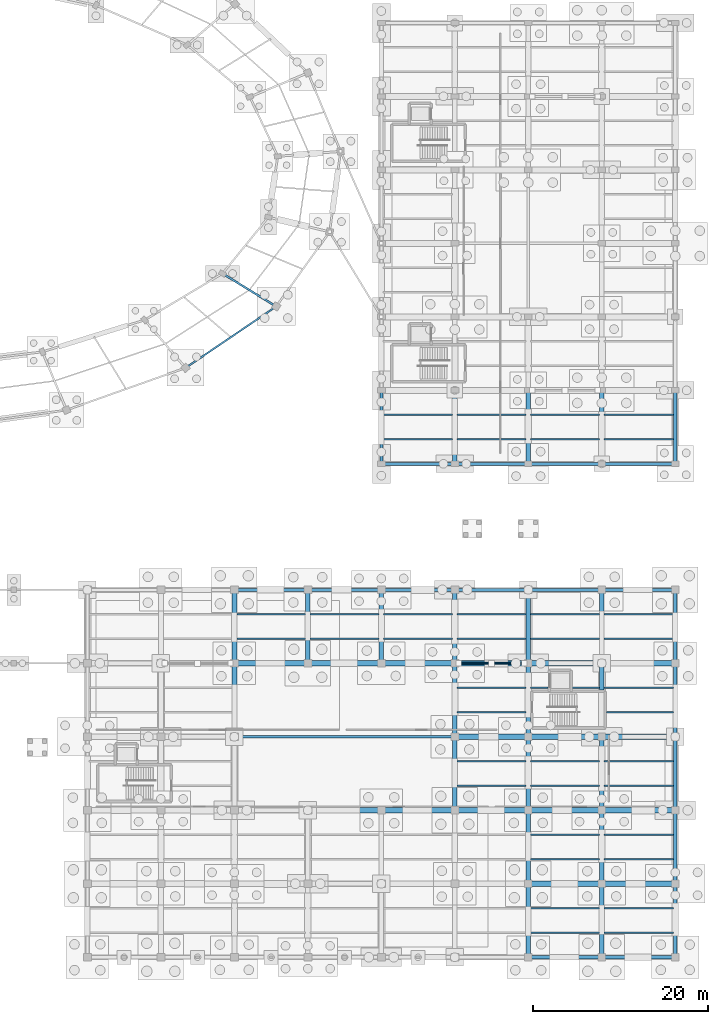
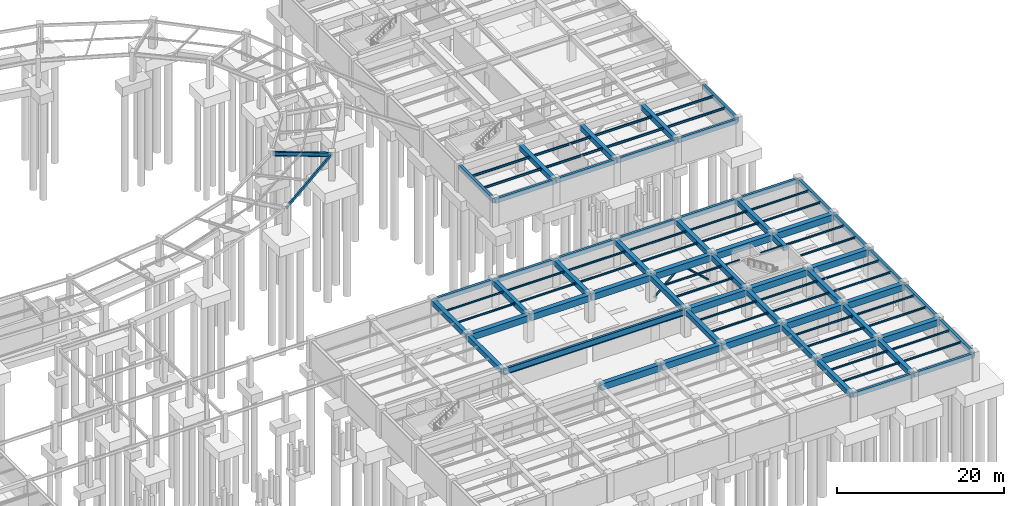
# One storey, part 19 of 38: 98 beams, 2 members.
"""IFC4 building model written with IfcOpenShell, lengths in metres."""

from ifc_helpers import new_model, si_unit, direction, frame, origin, origin_2d, place, context, subcontext, project, spatial, rectangle, hollow_rectangle, hollow_circle, i_section, extrude, material, material_profile, profile_set, type_object, element, save


model = new_model("IFC4")

# Units and contexts
model_context = context("Model", 3, precision=1e-05, world=origin(), true_north=direction((0.0, 1.0)))
body_context = subcontext(model_context, "Body", "Model", "MODEL_VIEW")
ifc_project = project(units=[si_unit("LENGTHUNIT", "METRE"), si_unit("AREAUNIT", "SQUARE_METRE"), si_unit("VOLUMEUNIT", "CUBIC_METRE"), si_unit("PLANEANGLEUNIT", "RADIAN"), si_unit("MASSUNIT", "GRAM", prefix="KILO"), si_unit("THERMODYNAMICTEMPERATUREUNIT", "KELVIN"), si_unit("POWERUNIT", "WATT")], contexts=[model_context])

# Site, building, storey
site_placement = place(None, origin())
site = spatial("IfcSite", under=ifc_project, at=site_placement, CompositionType="ELEMENT")
building_placement = place(site_placement, origin())
building = spatial("IfcBuilding", under=site, at=building_placement, Name="Darbajah Civic Hall", CompositionType="ELEMENT")
storey_placement = place(building_placement, frame((0.0, 0.0, -4.199951171875)))
storey = spatial("IfcBuildingStorey", under=building, at=storey_placement, Name="B01", CompositionType="ELEMENT", Elevation=-4.199951171875)

# Members
ifc_material_1 = material(Name="Steel S355JR", Category="steel")
ifc_material_profile_1 = material_profile(ifc_material_1, hollow_circle(Radius=0.136474609375, WallThickness=0.010009765625, at=origin_2d()), Name="CHS 273.0x10.0")
ifc_profile_set_1 = profile_set([ifc_material_profile_1], Name="Steel S355JR")
member_type = type_object("IfcMemberType", Name="CHS 273.0x10.0", PredefinedType="BRACE", material=ifc_profile_set_1)
member_1_placement = place(storey_placement, frame((153.449951171875, 33.60009765625, 0.199951171875), z_axis=(0.742277082557, 0.0, 0.670093077648), x_axis=(0.0, 1.0, 0.0)))
element("IfcMember", 1, at=member_1_placement, inside=storey, type_object=member_type, Name="B01 lateral chevron brace BR-B01-2-L", PredefinedType="BRACE", context=body_context, shape_type="SweptSolid", body=[
    extrude(hollow_circle(Radius=0.136474609375, WallThickness=0.010009765625, at=origin_2d()), origin(), (0.0, 0.0, 1.0), 4.85009765625),
])
member_2_placement = place(storey_placement, frame((160.949951171875, 33.60009765625, 0.199951171875), z_axis=(-0.742254478498, 0.0, 0.67011811582), x_axis=(0.0, -1.0, 0.0)))
element("IfcMember", 2, at=member_2_placement, inside=storey, type_object=member_type, Name="B01 lateral chevron brace BR-B01-2-R", PredefinedType="BRACE", context=body_context, shape_type="SweptSolid", body=[
    extrude(hollow_circle(Radius=0.136474609375, WallThickness=0.010009765625, at=origin_2d()), origin(), (0.0, 0.0, 1.0), 4.849853515625),
])

# Beams
ifc_material_2 = material(Name="Concrete C45/55", Category="concrete")
ifc_material_profile_2 = material_profile(ifc_material_2, rectangle(XDim=0.550048828125, YDim=0.75, at=origin_2d()), Name="RC BEAM 550x750")
ifc_profile_set_2 = profile_set([ifc_material_profile_2], Name="Concrete C45/55")
beam_type_1 = type_object("IfcBeamType", Name="RC BEAM 550x750", PredefinedType="BEAM", material=ifc_profile_set_2)
for number, where, z_axis, x_axis, name in (
    (3, (127.800048828125, 25.280029296875, 3.52490234375), (0.0, 1.0, 0.0), (-1.0, 0.0, 0.0), "B01 beam BM-5575"),
    (4, (127.800048828125, 33.679931640625, 3.52490234375), (0.0, 1.0, 0.0), (-1.0, 0.0, 0.0), "B01 beam BM-5575"),
    (5, (136.199951171875, 33.679931640625, 3.52490234375), (0.0, 1.0, 0.0), (-1.0, 0.0, 0.0), "B01 beam BM-5575"),
    (6, (144.60009765625, 33.679931640625, 3.52490234375), (0.0, 1.0, 0.0), (-1.0, 0.0, 0.0), "B01 beam BM-5575"),
):
    element("IfcBeam", number, at=place(storey_placement, frame(where, z_axis=z_axis, x_axis=x_axis)), inside=storey, type_object=beam_type_1, Name=name, PredefinedType="BEAM", context=body_context, shape_type="SweptSolid", body=[
        extrude(rectangle(XDim=0.550048828125, YDim=0.75, at=origin_2d()), origin(), (0.0, 0.0, 1.0), 8.239990234375),
    ])
beam_1_placement = place(storey_placement, frame((153.0, 16.8798828125, 3.52490234375), z_axis=(0.0, 1.0, 0.0), x_axis=(-1.0, 0.0, 0.0)))
element("IfcBeam", 7, at=beam_1_placement, inside=storey, type_object=beam_type_1, Name="B01 beam BM-5575", PredefinedType="BEAM", context=body_context, shape_type="SweptSolid", body=[
    extrude(rectangle(XDim=0.550048828125, YDim=0.75, at=origin_2d()), origin(), (0.0, 0.0, 1.0), 8.240234375),
])
for number, where, z_axis, x_axis, name in (
    (8, (153.0, 25.280029296875, 3.52490234375), (0.0, 1.0, 0.0), (-1.0, 0.0, 0.0), "B01 beam BM-5575"),
    (9, (153.0, 33.679931640625, 3.52490234375), (0.0, 1.0, 0.0), (-1.0, 0.0, 0.0), "B01 beam BM-5575"),
    (10, (161.39990234375, 0.080078125, 3.52490234375), (0.0, 1.0, 0.0), (-1.0, 0.0, 0.0), "B01 beam BM-5575"),
    (11, (161.39990234375, 8.47998046875, 3.52490234375), (0.0, 1.0, 0.0), (-1.0, 0.0, 0.0), "B01 beam BM-5575"),
):
    element("IfcBeam", number, at=place(storey_placement, frame(where, z_axis=z_axis, x_axis=x_axis)), inside=storey, type_object=beam_type_1, Name=name, PredefinedType="BEAM", context=body_context, shape_type="SweptSolid", body=[
        extrude(rectangle(XDim=0.550048828125, YDim=0.75, at=origin_2d()), origin(), (0.0, 0.0, 1.0), 8.239990234375),
    ])
beam_2_placement = place(storey_placement, frame((161.39990234375, 16.8798828125, 3.52490234375), z_axis=(0.0, 1.0, 0.0), x_axis=(-1.0, 0.0, 0.0)))
element("IfcBeam", 12, at=beam_2_placement, inside=storey, type_object=beam_type_1, Name="B01 beam BM-5575", PredefinedType="BEAM", context=body_context, shape_type="SweptSolid", body=[
    extrude(rectangle(XDim=0.550048828125, YDim=0.75, at=origin_2d()), origin(), (0.0, 0.0, 1.0), 8.240234375),
])
for number, where, z_axis, x_axis, name in (
    (13, (161.39990234375, 25.280029296875, 3.52490234375), (0.0, 1.0, 0.0), (-1.0, 0.0, 0.0), "B01 beam BM-5575"),
    (14, (161.39990234375, 33.679931640625, 3.52490234375), (0.0, 1.0, 0.0), (-1.0, 0.0, 0.0), "B01 beam BM-5575"),
    (15, (169.800048828125, 0.080078125, 3.52490234375), (0.0, 1.0, 0.0), (-1.0, 0.0, 0.0), "B01 beam BM-5575"),
    (16, (169.800048828125, 8.47998046875, 3.52490234375), (0.0, 1.0, 0.0), (-1.0, 0.0, 0.0), "B01 beam BM-5575"),
):
    element("IfcBeam", number, at=place(storey_placement, frame(where, z_axis=z_axis, x_axis=x_axis)), inside=storey, type_object=beam_type_1, Name=name, PredefinedType="BEAM", context=body_context, shape_type="SweptSolid", body=[
        extrude(rectangle(XDim=0.550048828125, YDim=0.75, at=origin_2d()), origin(), (0.0, 0.0, 1.0), 8.239990234375),
    ])
beam_3_placement = place(storey_placement, frame((169.800048828125, 16.8798828125, 3.52490234375), z_axis=(0.0, 1.0, 0.0), x_axis=(-1.0, 0.0, 0.0)))
element("IfcBeam", 17, at=beam_3_placement, inside=storey, type_object=beam_type_1, Name="B01 beam BM-5575", PredefinedType="BEAM", context=body_context, shape_type="SweptSolid", body=[
    extrude(rectangle(XDim=0.550048828125, YDim=0.75, at=origin_2d()), origin(), (0.0, 0.0, 1.0), 8.240234375),
])
beam_4_placement = place(storey_placement, frame((169.800048828125, 30.5400390625, 3.52490234375), z_axis=(0.0, 1.0, 0.0), x_axis=(-1.0, 0.0, 0.0)))
element("IfcBeam", 18, at=beam_4_placement, inside=storey, type_object=beam_type_1, Name="B01 beam BM-5575", PredefinedType="BEAM", context=body_context, shape_type="SweptSolid", body=[
    extrude(rectangle(XDim=0.550048828125, YDim=0.75, at=origin_2d()), origin(), (0.0, 0.0, 1.0), 2.97998046875),
])
for number, where, z_axis, x_axis, name in (
    (19, (169.800048828125, 33.679931640625, 3.52490234375), (0.0, 1.0, 0.0), (-1.0, 0.0, 0.0), "B01 beam BM-5575"),
    (20, (153.0, 56.47998046875, 3.48486328125), (0.0, 1.0, 0.0), (-1.0, 0.0, 0.0), "B01 beam BM-5575"),
    (21, (161.39990234375, 56.47998046875, 3.48486328125), (0.0, 1.0, 0.0), (-1.0, 0.0, 0.0), "B01 beam BM-5575"),
    (22, (169.800048828125, 56.47998046875, 3.48486328125), (0.0, 1.0, 0.0), (-1.0, 0.0, 0.0), "B01 beam BM-5575"),
):
    element("IfcBeam", number, at=place(storey_placement, frame(where, z_axis=z_axis, x_axis=x_axis)), inside=storey, type_object=beam_type_1, Name=name, PredefinedType="BEAM", context=body_context, shape_type="SweptSolid", body=[
        extrude(rectangle(XDim=0.550048828125, YDim=0.75, at=origin_2d()), origin(), (0.0, 0.0, 1.0), 8.239990234375),
    ])
ifc_material_3 = material(Name="Concrete C50/60", Category="concrete")
ifc_material_profile_3 = material_profile(ifc_material_3, rectangle(XDim=0.64990234375, YDim=0.949951171875, at=origin_2d()), Name="RC GIRDER 650x950")
ifc_profile_set_3 = profile_set([ifc_material_profile_3], Name="Concrete C50/60")
beam_type_2 = type_object("IfcBeamType", Name="RC GIRDER 650x950", PredefinedType="BEAM", material=ifc_profile_set_3)
beam_5_placement = place(storey_placement, frame((161.47998046875, 8.39990234375, 3.425048828125), z_axis=(1.0, 0.0, 0.0), x_axis=(0.0, 1.0, 0.0)))
element("IfcBeam", 23, at=beam_5_placement, inside=storey, type_object=beam_type_2, Name="B01 beam BG-6595", PredefinedType="BEAM", context=body_context, shape_type="SweptSolid", body=[
    extrude(rectangle(XDim=0.64990234375, YDim=0.949951171875, at=origin_2d()), origin(), (0.0, 0.0, 1.0), 8.239990234375),
])
beam_6_placement = place(storey_placement, frame((169.8798828125, 8.39990234375, 3.425048828125), z_axis=(1.0, 0.0, 0.0), x_axis=(0.0, 1.0, 0.0)))
element("IfcBeam", 24, at=beam_6_placement, inside=storey, type_object=beam_type_2, Name="B01 beam BG-6595", PredefinedType="BEAM", context=body_context, shape_type="SweptSolid", body=[
    extrude(rectangle(XDim=0.64990234375, YDim=0.949951171875, at=origin_2d()), origin(), (0.0, 0.0, 1.0), 8.240234375),
])
for number, where, z_axis, x_axis, name in (
    (25, (136.280029296875, 16.800048828125, 3.425048828125), (1.0, 0.0, 0.0), (0.0, 1.0, 0.0), "B01 beam BG-6595"),
    (26, (144.679931640625, 16.800048828125, 3.425048828125), (1.0, 0.0, 0.0), (0.0, 1.0, 0.0), "B01 beam BG-6595"),
    (27, (153.080078125, 16.800048828125, 3.425048828125), (1.0, 0.0, 0.0), (0.0, 1.0, 0.0), "B01 beam BG-6595"),
    (28, (161.47998046875, 16.800048828125, 3.425048828125), (1.0, 0.0, 0.0), (0.0, 1.0, 0.0), "B01 beam BG-6595"),
):
    element("IfcBeam", number, at=place(storey_placement, frame(where, z_axis=z_axis, x_axis=x_axis)), inside=storey, type_object=beam_type_2, Name=name, PredefinedType="BEAM", context=body_context, shape_type="SweptSolid", body=[
        extrude(rectangle(XDim=0.64990234375, YDim=0.949951171875, at=origin_2d()), origin(), (0.0, 0.0, 1.0), 8.239990234375),
    ])
beam_7_placement = place(storey_placement, frame((169.8798828125, 16.800048828125, 3.425048828125), z_axis=(1.0, 0.0, 0.0), x_axis=(0.0, 1.0, 0.0)))
element("IfcBeam", 29, at=beam_7_placement, inside=storey, type_object=beam_type_2, Name="B01 beam BG-6595", PredefinedType="BEAM", context=body_context, shape_type="SweptSolid", body=[
    extrude(rectangle(XDim=0.64990234375, YDim=0.949951171875, at=origin_2d()), origin(), (0.0, 0.0, 1.0), 8.240234375),
])
for number, where, z_axis, x_axis, name in (
    (30, (153.080078125, 25.199951171875, 3.425048828125), (1.0, 0.0, 0.0), (0.0, 1.0, 0.0), "B01 beam BG-6595"),
    (31, (161.47998046875, 25.199951171875, 3.425048828125), (1.0, 0.0, 0.0), (0.0, 1.0, 0.0), "B01 beam BG-6595"),
):
    element("IfcBeam", number, at=place(storey_placement, frame(where, z_axis=z_axis, x_axis=x_axis)), inside=storey, type_object=beam_type_2, Name=name, PredefinedType="BEAM", context=body_context, shape_type="SweptSolid", body=[
        extrude(rectangle(XDim=0.64990234375, YDim=0.949951171875, at=origin_2d()), origin(), (0.0, 0.0, 1.0), 8.239990234375),
    ])
for number, where, z_axis, x_axis, name in (
    (32, (169.8798828125, 25.199951171875, 3.425048828125), (1.0, 0.0, 0.0), (0.0, 1.0, 0.0), "B01 beam BG-6595"),
    (33, (127.8798828125, 33.60009765625, 3.425048828125), (1.0, 0.0, 0.0), (0.0, 1.0, 0.0), "B01 beam BG-6595"),
):
    element("IfcBeam", number, at=place(storey_placement, frame(where, z_axis=z_axis, x_axis=x_axis)), inside=storey, type_object=beam_type_2, Name=name, PredefinedType="BEAM", context=body_context, shape_type="SweptSolid", body=[
        extrude(rectangle(XDim=0.64990234375, YDim=0.949951171875, at=origin_2d()), origin(), (0.0, 0.0, 1.0), 8.240234375),
    ])
for number, where, z_axis, x_axis, name in (
    (34, (136.280029296875, 33.60009765625, 3.425048828125), (1.0, 0.0, 0.0), (0.0, 1.0, 0.0), "B01 beam BG-6595"),
    (35, (144.679931640625, 33.60009765625, 3.425048828125), (1.0, 0.0, 0.0), (0.0, 1.0, 0.0), "B01 beam BG-6595"),
    (36, (153.080078125, 33.60009765625, 3.425048828125), (1.0, 0.0, 0.0), (0.0, 1.0, 0.0), "B01 beam BG-6595"),
    (37, (161.47998046875, 33.60009765625, 3.425048828125), (1.0, 0.0, 0.0), (0.0, 1.0, 0.0), "B01 beam BG-6595"),
):
    element("IfcBeam", number, at=place(storey_placement, frame(where, z_axis=z_axis, x_axis=x_axis)), inside=storey, type_object=beam_type_2, Name=name, PredefinedType="BEAM", context=body_context, shape_type="SweptSolid", body=[
        extrude(rectangle(XDim=0.64990234375, YDim=0.949951171875, at=origin_2d()), origin(), (0.0, 0.0, 1.0), 8.239990234375),
    ])
beam_8_placement = place(storey_placement, frame((169.8798828125, 33.60009765625, 3.425048828125), z_axis=(1.0, 0.0, 0.0), x_axis=(0.0, 1.0, 0.0)))
element("IfcBeam", 38, at=beam_8_placement, inside=storey, type_object=beam_type_2, Name="B01 beam BG-6595", PredefinedType="BEAM", context=body_context, shape_type="SweptSolid", body=[
    extrude(rectangle(XDim=0.64990234375, YDim=0.949951171875, at=origin_2d()), origin(), (0.0, 0.0, 1.0), 8.240234375),
])
ifc_material_profile_4 = material_profile(ifc_material_2, rectangle(XDim=0.35009765625, YDim=0.64990234375, at=origin_2d()), Name="RC SPANDREL 350x650")
ifc_profile_set_4 = profile_set([ifc_material_profile_4], Name="Concrete C45/55")
beam_type_3 = type_object("IfcBeamType", Name="RC SPANDREL 350x650", PredefinedType="SPANDREL", material=ifc_profile_set_4)
beam_9_placement = place(storey_placement, frame((161.47998046875, 0.0, 3.574951171875), z_axis=(1.0, 0.0, 0.0), x_axis=(0.0, 1.0, 0.0)))
element("IfcBeam", 39, at=beam_9_placement, inside=storey, type_object=beam_type_3, Name="B01 beam SP-3565", PredefinedType="SPANDREL", context=body_context, shape_type="SweptSolid", body=[
    extrude(rectangle(XDim=0.35009765625, YDim=0.64990234375, at=origin_2d()), origin(), (0.0, 0.0, 1.0), 8.239990234375),
])
for number, where, z_axis, x_axis, name in (
    (40, (169.8798828125, 0.0, 3.574951171875), (1.0, 0.0, 0.0), (0.0, 1.0, 0.0), "B01 beam SP-3565"),
    (41, (127.8798828125, 42.0, 3.574951171875), (1.0, 0.0, 0.0), (0.0, 1.0, 0.0), "B01 beam SP-3565"),
):
    element("IfcBeam", number, at=place(storey_placement, frame(where, z_axis=z_axis, x_axis=x_axis)), inside=storey, type_object=beam_type_3, Name=name, PredefinedType="SPANDREL", context=body_context, shape_type="SweptSolid", body=[
        extrude(rectangle(XDim=0.35009765625, YDim=0.64990234375, at=origin_2d()), origin(), (0.0, 0.0, 1.0), 8.240234375),
    ])
for number, where, z_axis, x_axis, name in (
    (42, (136.280029296875, 42.0, 3.574951171875), (1.0, 0.0, 0.0), (0.0, 1.0, 0.0), "B01 beam SP-3565"),
    (43, (144.679931640625, 42.0, 3.574951171875), (1.0, 0.0, 0.0), (0.0, 1.0, 0.0), "B01 beam SP-3565"),
    (44, (153.080078125, 42.0, 3.574951171875), (1.0, 0.0, 0.0), (0.0, 1.0, 0.0), "B01 beam SP-3565"),
    (45, (161.47998046875, 42.0, 3.574951171875), (1.0, 0.0, 0.0), (0.0, 1.0, 0.0), "B01 beam SP-3565"),
):
    element("IfcBeam", number, at=place(storey_placement, frame(where, z_axis=z_axis, x_axis=x_axis)), inside=storey, type_object=beam_type_3, Name=name, PredefinedType="SPANDREL", context=body_context, shape_type="SweptSolid", body=[
        extrude(rectangle(XDim=0.35009765625, YDim=0.64990234375, at=origin_2d()), origin(), (0.0, 0.0, 1.0), 8.239990234375),
    ])
beam_10_placement = place(storey_placement, frame((169.8798828125, 42.0, 3.574951171875), z_axis=(1.0, 0.0, 0.0), x_axis=(0.0, 1.0, 0.0)))
element("IfcBeam", 46, at=beam_10_placement, inside=storey, type_object=beam_type_3, Name="B01 beam SP-3565", PredefinedType="SPANDREL", context=body_context, shape_type="SweptSolid", body=[
    extrude(rectangle(XDim=0.35009765625, YDim=0.64990234375, at=origin_2d()), origin(), (0.0, 0.0, 1.0), 8.240234375),
])
for number, where, z_axis, x_axis, name in (
    (47, (178.199951171875, 0.080078125, 3.574951171875), (0.0, 1.0, 0.0), (-1.0, 0.0, 0.0), "B01 beam SP-3565"),
    (48, (178.199951171875, 8.47998046875, 3.574951171875), (0.0, 1.0, 0.0), (-1.0, 0.0, 0.0), "B01 beam SP-3565"),
):
    element("IfcBeam", number, at=place(storey_placement, frame(where, z_axis=z_axis, x_axis=x_axis)), inside=storey, type_object=beam_type_3, Name=name, PredefinedType="SPANDREL", context=body_context, shape_type="SweptSolid", body=[
        extrude(rectangle(XDim=0.35009765625, YDim=0.64990234375, at=origin_2d()), origin(), (0.0, 0.0, 1.0), 8.239990234375),
    ])
beam_11_placement = place(storey_placement, frame((178.199951171875, 16.8798828125, 3.574951171875), z_axis=(0.0, 1.0, 0.0), x_axis=(-1.0, 0.0, 0.0)))
element("IfcBeam", 49, at=beam_11_placement, inside=storey, type_object=beam_type_3, Name="B01 beam SP-3565", PredefinedType="SPANDREL", context=body_context, shape_type="SweptSolid", body=[
    extrude(rectangle(XDim=0.35009765625, YDim=0.64990234375, at=origin_2d()), origin(), (0.0, 0.0, 1.0), 8.240234375),
])
for number, where, z_axis, x_axis, name in (
    (50, (178.199951171875, 25.280029296875, 3.574951171875), (0.0, 1.0, 0.0), (-1.0, 0.0, 0.0), "B01 beam SP-3565"),
    (51, (178.199951171875, 33.679931640625, 3.574951171875), (0.0, 1.0, 0.0), (-1.0, 0.0, 0.0), "B01 beam SP-3565"),
    (52, (144.679931640625, 56.39990234375, 3.534912109375), (1.0, 0.0, 0.0), (0.0, 1.0, 0.0), "B01 beam SP-3565"),
    (53, (153.080078125, 56.39990234375, 3.534912109375), (1.0, 0.0, 0.0), (0.0, 1.0, 0.0), "B01 beam SP-3565"),
    (54, (161.47998046875, 56.39990234375, 3.534912109375), (1.0, 0.0, 0.0), (0.0, 1.0, 0.0), "B01 beam SP-3565"),
):
    element("IfcBeam", number, at=place(storey_placement, frame(where, z_axis=z_axis, x_axis=x_axis)), inside=storey, type_object=beam_type_3, Name=name, PredefinedType="SPANDREL", context=body_context, shape_type="SweptSolid", body=[
        extrude(rectangle(XDim=0.35009765625, YDim=0.64990234375, at=origin_2d()), origin(), (0.0, 0.0, 1.0), 8.239990234375),
    ])
beam_12_placement = place(storey_placement, frame((169.8798828125, 56.39990234375, 3.534912109375), z_axis=(1.0, 0.0, 0.0), x_axis=(0.0, 1.0, 0.0)))
element("IfcBeam", 55, at=beam_12_placement, inside=storey, type_object=beam_type_3, Name="B01 beam SP-3565", PredefinedType="SPANDREL", context=body_context, shape_type="SweptSolid", body=[
    extrude(rectangle(XDim=0.35009765625, YDim=0.64990234375, at=origin_2d()), origin(), (0.0, 0.0, 1.0), 8.240234375),
])
for number, where, z_axis, x_axis, name in (
    (56, (144.60009765625, 56.47998046875, 3.534912109375), (0.0, 1.0, 0.0), (-1.0, 0.0, 0.0), "B01 beam SP-3565"),
    (57, (178.199951171875, 56.47998046875, 3.534912109375), (0.0, 1.0, 0.0), (-1.0, 0.0, 0.0), "B01 beam SP-3565"),
):
    element("IfcBeam", number, at=place(storey_placement, frame(where, z_axis=z_axis, x_axis=x_axis)), inside=storey, type_object=beam_type_3, Name=name, PredefinedType="SPANDREL", context=body_context, shape_type="SweptSolid", body=[
        extrude(rectangle(XDim=0.35009765625, YDim=0.64990234375, at=origin_2d()), origin(), (0.0, 0.0, 1.0), 8.239990234375),
    ])
ifc_material_profile_5 = material_profile(ifc_material_1, hollow_rectangle(XDim=0.199951171875, YDim=0.39990234375, WallThickness=0.013916015625, at=origin_2d()), Name="RHS 400x200x14")
ifc_profile_set_5 = profile_set([ifc_material_profile_5], Name="Steel S355JR")
beam_type_4 = type_object("IfcBeamType", Name="RHS 400x200x14", PredefinedType="SPANDREL", material=ifc_profile_set_5)
beam_13_placement = place(storey_placement, frame((122.2880859375, 67.412841796875, 3.719970703125), z_axis=(0.827982022698, 0.560754643394, 0.0), x_axis=(-0.560754643394, 0.827982022698, 0.0)))
element("IfcBeam", 58, at=beam_13_placement, inside=storey, type_object=beam_type_4, Name="B01 beam SP-RHS400", PredefinedType="SPANDREL", context=body_context, shape_type="SweptSolid", body=[
    extrude(hollow_rectangle(XDim=0.199951171875, YDim=0.39990234375, WallThickness=0.013916015625, at=origin_2d()), origin(), (0.0, 0.0, 1.0), 12.355712890625),
])
ifc_material_profile_6 = material_profile(ifc_material_1, i_section(OverallWidth=0.146484375, OverallDepth=0.256103515625, WebThickness=0.00634765625, FlangeThickness=0.010986328125, FilletRadius=0.007568359375, at=origin_2d()), Name="UB 254x146x37")
ifc_profile_set_6 = profile_set([ifc_material_profile_6], Name="Steel S355JR")
beam_type_5 = type_object("IfcBeamType", Name="UB 254x146x37", PredefinedType="JOIST", material=ifc_profile_set_6)
for number, where, z_axis, x_axis, name in (
    (59, (128.074951171875, 36.39990234375, 3.77197265625), (1.0, 0.0, 0.0), (0.0, 1.0, 0.0), "B01 beam SJ-254"),
    (60, (128.074951171875, 39.199951171875, 3.77197265625), (1.0, 0.0, 0.0), (0.0, 1.0, 0.0), "B01 beam SJ-254"),
):
    element("IfcBeam", number, at=place(storey_placement, frame(where, z_axis=z_axis, x_axis=x_axis)), inside=storey, type_object=beam_type_5, Name=name, PredefinedType="JOIST", context=body_context, shape_type="SweptSolid", body=[
        extrude(i_section(OverallWidth=0.146484375, OverallDepth=0.256103515625, WebThickness=0.00634765625, FlangeThickness=0.010986328125, FilletRadius=0.007568359375, at=origin_2d()), origin(), (0.0, 0.0, 1.0), 7.85009765625),
    ])
for number, where, z_axis, x_axis, name in (
    (61, (136.47509765625, 36.39990234375, 3.77197265625), (1.0, 0.0, 0.0), (0.0, 1.0, 0.0), "B01 beam SJ-254"),
    (62, (136.47509765625, 39.199951171875, 3.77197265625), (1.0, 0.0, 0.0), (0.0, 1.0, 0.0), "B01 beam SJ-254"),
):
    element("IfcBeam", number, at=place(storey_placement, frame(where, z_axis=z_axis, x_axis=x_axis)), inside=storey, type_object=beam_type_5, Name=name, PredefinedType="JOIST", context=body_context, shape_type="SweptSolid", body=[
        extrude(i_section(OverallWidth=0.146484375, OverallDepth=0.256103515625, WebThickness=0.00634765625, FlangeThickness=0.010986328125, FilletRadius=0.007568359375, at=origin_2d()), origin(), (0.0, 0.0, 1.0), 7.849853515625),
    ])
for number, where, z_axis, x_axis, name in (
    (63, (144.875, 36.39990234375, 3.77197265625), (1.0, 0.0, 0.0), (0.0, 1.0, 0.0), "B01 beam SJ-254"),
    (64, (144.875, 39.199951171875, 3.77197265625), (1.0, 0.0, 0.0), (0.0, 1.0, 0.0), "B01 beam SJ-254"),
    (65, (153.27490234375, 19.60009765625, 3.77197265625), (1.0, 0.0, 0.0), (0.0, 1.0, 0.0), "B01 beam SJ-254"),
    (66, (153.27490234375, 22.39990234375, 3.77197265625), (1.0, 0.0, 0.0), (0.0, 1.0, 0.0), "B01 beam SJ-254"),
    (67, (153.27490234375, 28.0, 3.77197265625), (1.0, 0.0, 0.0), (0.0, 1.0, 0.0), "B01 beam SJ-254"),
    (68, (153.27490234375, 30.800048828125, 3.77197265625), (1.0, 0.0, 0.0), (0.0, 1.0, 0.0), "B01 beam SJ-254"),
    (69, (153.27490234375, 36.39990234375, 3.77197265625), (1.0, 0.0, 0.0), (0.0, 1.0, 0.0), "B01 beam SJ-254"),
    (70, (153.27490234375, 39.199951171875, 3.77197265625), (1.0, 0.0, 0.0), (0.0, 1.0, 0.0), "B01 beam SJ-254"),
):
    element("IfcBeam", number, at=place(storey_placement, frame(where, z_axis=z_axis, x_axis=x_axis)), inside=storey, type_object=beam_type_5, Name=name, PredefinedType="JOIST", context=body_context, shape_type="SweptSolid", body=[
        extrude(i_section(OverallWidth=0.146484375, OverallDepth=0.256103515625, WebThickness=0.00634765625, FlangeThickness=0.010986328125, FilletRadius=0.007568359375, at=origin_2d()), origin(), (0.0, 0.0, 1.0), 7.85009765625),
    ])
for number, where, z_axis, x_axis, name in (
    (71, (161.675048828125, 2.800048828125, 3.77197265625), (1.0, 0.0, 0.0), (0.0, 1.0, 0.0), "B01 beam SJ-254"),
    (72, (161.675048828125, 5.60009765625, 3.77197265625), (1.0, 0.0, 0.0), (0.0, 1.0, 0.0), "B01 beam SJ-254"),
    (73, (161.675048828125, 11.199951171875, 3.77197265625), (1.0, 0.0, 0.0), (0.0, 1.0, 0.0), "B01 beam SJ-254"),
    (74, (161.675048828125, 14.0, 3.77197265625), (1.0, 0.0, 0.0), (0.0, 1.0, 0.0), "B01 beam SJ-254"),
    (75, (161.675048828125, 19.60009765625, 3.77197265625), (1.0, 0.0, 0.0), (0.0, 1.0, 0.0), "B01 beam SJ-254"),
    (76, (161.675048828125, 22.39990234375, 3.77197265625), (1.0, 0.0, 0.0), (0.0, 1.0, 0.0), "B01 beam SJ-254"),
):
    element("IfcBeam", number, at=place(storey_placement, frame(where, z_axis=z_axis, x_axis=x_axis)), inside=storey, type_object=beam_type_5, Name=name, PredefinedType="JOIST", context=body_context, shape_type="SweptSolid", body=[
        extrude(i_section(OverallWidth=0.146484375, OverallDepth=0.256103515625, WebThickness=0.00634765625, FlangeThickness=0.010986328125, FilletRadius=0.007568359375, at=origin_2d()), origin(), (0.0, 0.0, 1.0), 7.849853515625),
    ])
beam_14_placement = place(storey_placement, frame((161.675048828125, 30.800048828125, 3.77197265625), z_axis=(1.0, 0.0, 0.0), x_axis=(0.0, 1.0, 0.0)))
element("IfcBeam", 77, at=beam_14_placement, inside=storey, type_object=beam_type_5, Name="B01 beam SJ-254", PredefinedType="JOIST", context=body_context, shape_type="SweptSolid", body=[
    extrude(i_section(OverallWidth=0.146484375, OverallDepth=0.256103515625, WebThickness=0.00634765625, FlangeThickness=0.010986328125, FilletRadius=0.007568359375, at=origin_2d()), origin(), (0.0, 0.0, 1.0), 2.0048828125),
])
beam_15_placement = place(storey_placement, frame((166.419921875, 30.800048828125, 3.77197265625), z_axis=(1.0, 0.0, 0.0), x_axis=(0.0, 1.0, 0.0)))
element("IfcBeam", 78, at=beam_15_placement, inside=storey, type_object=beam_type_5, Name="B01 beam SJ-254", PredefinedType="JOIST", context=body_context, shape_type="SweptSolid", body=[
    extrude(i_section(OverallWidth=0.146484375, OverallDepth=0.256103515625, WebThickness=0.00634765625, FlangeThickness=0.010986328125, FilletRadius=0.007568359375, at=origin_2d()), origin(), (0.0, 0.0, 1.0), 3.10498046875),
])
for number, where, z_axis, x_axis, name in (
    (79, (161.675048828125, 36.39990234375, 3.77197265625), (1.0, 0.0, 0.0), (0.0, 1.0, 0.0), "B01 beam SJ-254"),
    (80, (161.675048828125, 39.199951171875, 3.77197265625), (1.0, 0.0, 0.0), (0.0, 1.0, 0.0), "B01 beam SJ-254"),
):
    element("IfcBeam", number, at=place(storey_placement, frame(where, z_axis=z_axis, x_axis=x_axis)), inside=storey, type_object=beam_type_5, Name=name, PredefinedType="JOIST", context=body_context, shape_type="SweptSolid", body=[
        extrude(i_section(OverallWidth=0.146484375, OverallDepth=0.256103515625, WebThickness=0.00634765625, FlangeThickness=0.010986328125, FilletRadius=0.007568359375, at=origin_2d()), origin(), (0.0, 0.0, 1.0), 7.849853515625),
    ])
for number, where, z_axis, x_axis, name in (
    (81, (170.074951171875, 2.800048828125, 3.77197265625), (1.0, 0.0, 0.0), (0.0, 1.0, 0.0), "B01 beam SJ-254"),
    (82, (170.074951171875, 5.60009765625, 3.77197265625), (1.0, 0.0, 0.0), (0.0, 1.0, 0.0), "B01 beam SJ-254"),
    (83, (170.074951171875, 11.199951171875, 3.77197265625), (1.0, 0.0, 0.0), (0.0, 1.0, 0.0), "B01 beam SJ-254"),
    (84, (170.074951171875, 14.0, 3.77197265625), (1.0, 0.0, 0.0), (0.0, 1.0, 0.0), "B01 beam SJ-254"),
    (85, (170.074951171875, 19.60009765625, 3.77197265625), (1.0, 0.0, 0.0), (0.0, 1.0, 0.0), "B01 beam SJ-254"),
    (86, (170.074951171875, 22.39990234375, 3.77197265625), (1.0, 0.0, 0.0), (0.0, 1.0, 0.0), "B01 beam SJ-254"),
):
    element("IfcBeam", number, at=place(storey_placement, frame(where, z_axis=z_axis, x_axis=x_axis)), inside=storey, type_object=beam_type_5, Name=name, PredefinedType="JOIST", context=body_context, shape_type="SweptSolid", body=[
        extrude(i_section(OverallWidth=0.146484375, OverallDepth=0.256103515625, WebThickness=0.00634765625, FlangeThickness=0.010986328125, FilletRadius=0.007568359375, at=origin_2d()), origin(), (0.0, 0.0, 1.0), 7.949951171875),
    ])
beam_16_placement = place(storey_placement, frame((170.340087890625, 28.0, 3.77197265625), z_axis=(1.0, 0.0, 0.0), x_axis=(0.0, 1.0, 0.0)))
element("IfcBeam", 87, at=beam_16_placement, inside=storey, type_object=beam_type_5, Name="B01 beam SJ-254", PredefinedType="JOIST", context=body_context, shape_type="SweptSolid", body=[
    extrude(i_section(OverallWidth=0.146484375, OverallDepth=0.256103515625, WebThickness=0.00634765625, FlangeThickness=0.010986328125, FilletRadius=0.007568359375, at=origin_2d()), origin(), (0.0, 0.0, 1.0), 7.684814453125),
])
for number, where, z_axis, x_axis, name in (
    (88, (170.074951171875, 30.800048828125, 3.77197265625), (1.0, 0.0, 0.0), (0.0, 1.0, 0.0), "B01 beam SJ-254"),
    (89, (170.074951171875, 36.39990234375, 3.77197265625), (1.0, 0.0, 0.0), (0.0, 1.0, 0.0), "B01 beam SJ-254"),
    (90, (170.074951171875, 39.199951171875, 3.77197265625), (1.0, 0.0, 0.0), (0.0, 1.0, 0.0), "B01 beam SJ-254"),
):
    element("IfcBeam", number, at=place(storey_placement, frame(where, z_axis=z_axis, x_axis=x_axis)), inside=storey, type_object=beam_type_5, Name=name, PredefinedType="JOIST", context=body_context, shape_type="SweptSolid", body=[
        extrude(i_section(OverallWidth=0.146484375, OverallDepth=0.256103515625, WebThickness=0.00634765625, FlangeThickness=0.010986328125, FilletRadius=0.007568359375, at=origin_2d()), origin(), (0.0, 0.0, 1.0), 7.949951171875),
    ])
ifc_material_profile_7 = material_profile(ifc_material_1, i_section(OverallWidth=0.165771484375, OverallDepth=0.306640625, WebThickness=0.006591796875, FlangeThickness=0.01171875, FilletRadius=0.0087890625, at=origin_2d()), Name="UB 305x165x46")
ifc_profile_set_7 = profile_set([ifc_material_profile_7], Name="Steel S355JR")
beam_type_6 = type_object("IfcBeamType", Name="UB 305x165x46", PredefinedType="JOIST", material=ifc_profile_set_7)
for number, where, z_axis, x_axis, name in (
    (91, (144.77490234375, 59.199951171875, 3.70654296875), (1.0, 0.0, 0.0), (0.0, 1.0, 0.0), "B01 beam SJ-305"),
    (92, (144.77490234375, 62.0, 3.70654296875), (1.0, 0.0, 0.0), (0.0, 1.0, 0.0), "B01 beam SJ-305"),
):
    element("IfcBeam", number, at=place(storey_placement, frame(where, z_axis=z_axis, x_axis=x_axis)), inside=storey, type_object=beam_type_6, Name=name, PredefinedType="JOIST", context=body_context, shape_type="SweptSolid", body=[
        extrude(i_section(OverallWidth=0.165771484375, OverallDepth=0.306640625, WebThickness=0.006591796875, FlangeThickness=0.01171875, FilletRadius=0.0087890625, at=origin_2d()), origin(), (0.0, 0.0, 1.0), 7.9501953125),
    ])
for number, where, z_axis, x_axis, name in (
    (93, (153.27490234375, 59.199951171875, 3.70654296875), (1.0, 0.0, 0.0), (0.0, 1.0, 0.0), "B01 beam SJ-305"),
    (94, (153.27490234375, 62.0, 3.70654296875), (1.0, 0.0, 0.0), (0.0, 1.0, 0.0), "B01 beam SJ-305"),
):
    element("IfcBeam", number, at=place(storey_placement, frame(where, z_axis=z_axis, x_axis=x_axis)), inside=storey, type_object=beam_type_6, Name=name, PredefinedType="JOIST", context=body_context, shape_type="SweptSolid", body=[
        extrude(i_section(OverallWidth=0.165771484375, OverallDepth=0.306640625, WebThickness=0.006591796875, FlangeThickness=0.01171875, FilletRadius=0.0087890625, at=origin_2d()), origin(), (0.0, 0.0, 1.0), 7.85009765625),
    ])
for number, where, z_axis, x_axis, name in (
    (95, (161.675048828125, 59.199951171875, 3.70654296875), (1.0, 0.0, 0.0), (0.0, 1.0, 0.0), "B01 beam SJ-305"),
    (96, (161.675048828125, 62.0, 3.70654296875), (1.0, 0.0, 0.0), (0.0, 1.0, 0.0), "B01 beam SJ-305"),
):
    element("IfcBeam", number, at=place(storey_placement, frame(where, z_axis=z_axis, x_axis=x_axis)), inside=storey, type_object=beam_type_6, Name=name, PredefinedType="JOIST", context=body_context, shape_type="SweptSolid", body=[
        extrude(i_section(OverallWidth=0.165771484375, OverallDepth=0.306640625, WebThickness=0.006591796875, FlangeThickness=0.01171875, FilletRadius=0.0087890625, at=origin_2d()), origin(), (0.0, 0.0, 1.0), 7.849853515625),
    ])
for number, where, z_axis, x_axis, name in (
    (97, (170.074951171875, 59.199951171875, 3.70654296875), (1.0, 0.0, 0.0), (0.0, 1.0, 0.0), "B01 beam SJ-305"),
    (98, (170.074951171875, 62.0, 3.70654296875), (1.0, 0.0, 0.0), (0.0, 1.0, 0.0), "B01 beam SJ-305"),
):
    element("IfcBeam", number, at=place(storey_placement, frame(where, z_axis=z_axis, x_axis=x_axis)), inside=storey, type_object=beam_type_6, Name=name, PredefinedType="JOIST", context=body_context, shape_type="SweptSolid", body=[
        extrude(i_section(OverallWidth=0.165771484375, OverallDepth=0.306640625, WebThickness=0.006591796875, FlangeThickness=0.01171875, FilletRadius=0.0087890625, at=origin_2d()), origin(), (0.0, 0.0, 1.0), 7.949951171875),
    ])
ifc_material_profile_8 = material_profile(ifc_material_1, i_section(OverallWidth=0.228271484375, OverallDepth=0.607666015625, WebThickness=0.010986328125, FlangeThickness=0.017333984375, FilletRadius=0.0126953125, at=origin_2d()), Name="UB 610x229x113")
ifc_profile_set_8 = profile_set([ifc_material_profile_8], Name="Steel S355JR")
beam_type_7 = type_object("IfcBeamType", Name="UB 610x229x113", PredefinedType="BEAM", material=ifc_profile_set_8)
beam_17_placement = place(storey_placement, frame((126.513916015625, 78.1064453125, 3.6162109375), z_axis=(0.852629661041, -0.522515704178, 0.0), x_axis=(0.522515704178, 0.852629661041, 0.0)))
element("IfcBeam", 99, at=beam_17_placement, inside=storey, type_object=beam_type_7, Name="B01 beam SB-610", PredefinedType="BEAM", context=body_context, shape_type="SweptSolid", body=[
    extrude(i_section(OverallWidth=0.228271484375, OverallDepth=0.607666015625, WebThickness=0.010986328125, FlangeThickness=0.017333984375, FilletRadius=0.0126953125, at=origin_2d()), origin(), (0.0, 0.0, 1.0), 7.039794921875),
])
ifc_material_profile_9 = material_profile(ifc_material_1, i_section(OverallWidth=0.305419921875, OverallDepth=0.91845703125, WebThickness=0.017333984375, FlangeThickness=0.02783203125, FilletRadius=0.01904296875, at=origin_2d()), Name="UB 914x305x253")
ifc_profile_set_9 = profile_set([ifc_material_profile_9], Name="Steel S355JR")
beam_type_8 = type_object("IfcBeamType", Name="UB 914x305x253", PredefinedType="BEAM", material=ifc_profile_set_9)
beam_18_placement = place(storey_placement, frame((127.8798828125, 25.199951171875, 3.440673828125), z_axis=(1.0, 0.0, 0.0), x_axis=(0.0, 1.0, 0.0)))
element("IfcBeam", 100, at=beam_18_placement, inside=storey, type_object=beam_type_8, Name="B01 beam SB-914", PredefinedType="BEAM", context=body_context, shape_type="SweptSolid", body=[
    extrude(i_section(OverallWidth=0.305419921875, OverallDepth=0.91845703125, WebThickness=0.017333984375, FlangeThickness=0.02783203125, FilletRadius=0.01904296875, at=origin_2d()), origin(), (0.0, 0.0, 1.0), 25.0400390625),
])

save(model, "model.ifc")
